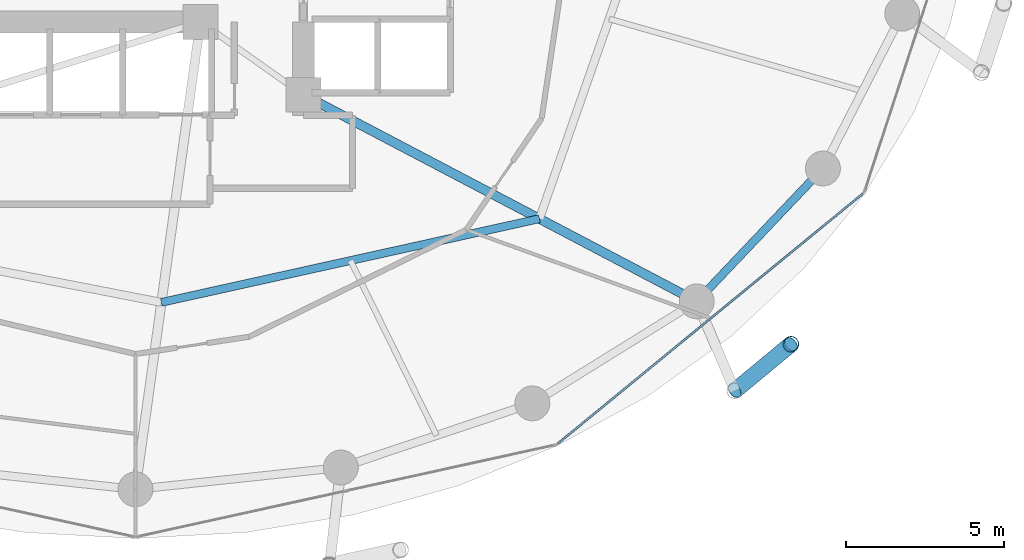
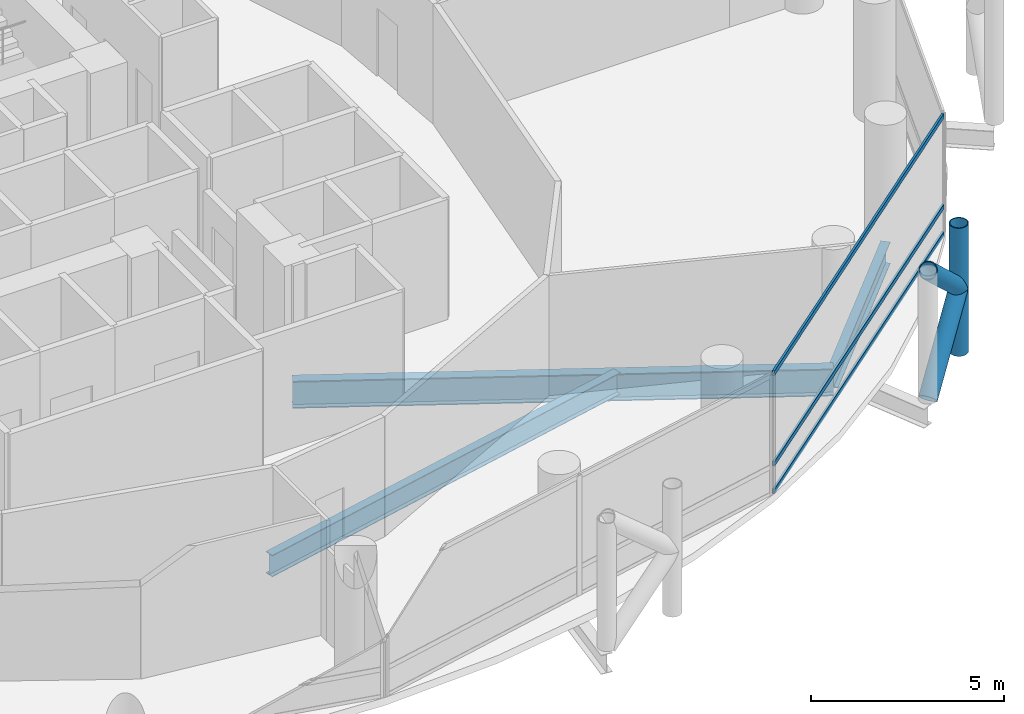
# One storey, part 9 of 25: 6 members, 3 beams, 1 element without a shape of its own.
"""IFC4 building model written with IfcOpenShell, lengths in metres."""

from ifc_helpers import new_model, si_unit, direction, frame, origin, origin_2d, place, context, subcontext, project, spatial, hollow_rectangle, hollow_circle, i_section, extrude, material, layer, layer_set, material_profile, profile_set, type_object, element, aggregate, save


model = new_model("IFC4")

# Units and contexts
model_context = context("Model", 3, precision=1e-05, world=origin(), true_north=direction((0.0, 1.0)))
body_context = subcontext(model_context, "Body", "Model", "MODEL_VIEW")
ifc_project = project(units=[si_unit("LENGTHUNIT", "METRE"), si_unit("AREAUNIT", "SQUARE_METRE"), si_unit("VOLUMEUNIT", "CUBIC_METRE"), si_unit("PLANEANGLEUNIT", "RADIAN"), si_unit("MASSUNIT", "GRAM", prefix="KILO")], contexts=[model_context])

# Site, building, storey
site_placement = place(None, origin())
site = spatial("IfcSite", under=ifc_project, at=site_placement, CompositionType="ELEMENT")
building_placement = place(site_placement, origin())
building = spatial("IfcBuilding", under=site, at=building_placement, Name="Nuhasar Tower", CompositionType="ELEMENT")
storey_placement = place(building_placement, frame((0.0, 0.0, 65.550048828125)))
storey = spatial("IfcBuildingStorey", under=building, at=storey_placement, Name="L15", CompositionType="ELEMENT", Elevation=65.550048828125)

# Beams
ifc_material_1 = material(Name="Steel S355", Category="steel")
ifc_material_profile_1 = material_profile(ifc_material_1, i_section(OverallWidth=0.25390625, OverallDepth=0.68408203125, WebThickness=0.012451171875, FlangeThickness=0.018798828125, at=origin_2d()), Name="W27X94")
ifc_profile_set_1 = profile_set([ifc_material_profile_1], Name="Steel S355")
beam_type_1 = type_object("IfcBeamType", Name="BM-INRING-W27X94", PredefinedType="BEAM", material=ifc_profile_set_1)
beam_1_placement = place(storey_placement, frame((39.820068359375, 12.449951171875, -0.592041015625), z_axis=(0.976386023343, 0.216033176665, 0.0), x_axis=(-0.216033176665, 0.976386023343, 0.0)))
element("IfcBeam", 1, at=beam_1_placement, inside=storey, type_object=beam_type_1, Name="L15 Inner Header Beam 02", PredefinedType="BEAM", context=body_context, shape_type="SweptSolid", body=[
    extrude(i_section(OverallWidth=0.25390625, OverallDepth=0.68408203125, WebThickness=0.012451171875, FlangeThickness=0.018798828125, at=origin_2d()), origin(), (0.0, 0.0, 1.0), 12.216552734375),
])
ifc_material_profile_2 = material_profile(ifc_material_1, i_section(OverallWidth=0.2919921875, OverallDepth=0.85888671875, WebThickness=0.01708984375, FlangeThickness=0.031005859375, at=origin_2d()), Name="W33X169")
ifc_profile_set_2 = profile_set([ifc_material_profile_2], Name="Steel S355")
beam_type_2 = type_object("IfcBeamType", Name="BM-POD-W33X169", PredefinedType="BEAM", material=ifc_profile_set_2)
beam_2_placement = place(storey_placement, frame((44.300048828125, 19.0, -0.679931640625), z_axis=(0.885330348705, -0.464962550816, 0.0), x_axis=(0.464962550816, 0.885330348705, 0.0)))
element("IfcBeam", 2, at=beam_2_placement, inside=storey, type_object=beam_type_2, Name="L15 Radial Floor Girder 03", PredefinedType="BEAM", context=body_context, shape_type="SweptSolid", body=[
    extrude(i_section(OverallWidth=0.2919921875, OverallDepth=0.85888671875, WebThickness=0.01708984375, FlangeThickness=0.031005859375, at=origin_2d()), origin(), (0.0, 0.0, 1.0), 14.0205078125),
])
ifc_material_profile_3 = material_profile(ifc_material_1, i_section(OverallWidth=0.256103515625, OverallDepth=0.693115234375, WebThickness=0.014404296875, FlangeThickness=0.023681640625, at=origin_2d()), Name="W27X114")
ifc_profile_set_3 = profile_set([ifc_material_profile_3], Name="Steel S355")
beam_type_3 = type_object("IfcBeamType", Name="BM-RING-W27X114", PredefinedType="SPANDREL", material=ifc_profile_set_3)
beam_3_placement = place(storey_placement, frame((56.712890625, 12.48095703125, -0.59716796875), z_axis=(0.688459812429, 0.725274490569, 0.0), x_axis=(-0.725274490569, 0.688459812429, 0.0)))
element("IfcBeam", 3, at=beam_3_placement, inside=storey, type_object=beam_type_3, Name="L15 Perimeter Ring Spandrel 22", PredefinedType="SPANDREL", context=body_context, shape_type="SweptSolid", body=[
    extrude(i_section(OverallWidth=0.256103515625, OverallDepth=0.693115234375, WebThickness=0.014404296875, FlangeThickness=0.023681640625, at=origin_2d()), origin(), (0.0, 0.0, 1.0), 5.78271484375),
])

# Curtain wall, members
ifc_material_2 = material(Name="Aluminium 6063-T6", Category="aluminium")
ifc_layer = layer(ifc_material_2, 0.199951171875)
ifc_layer_set = layer_set([ifc_layer], Name="Aluminium 6063-T6")
curtain_wall_type = type_object("IfcCurtainWallType", Name="CW-Z1-OFF", PredefinedType="NOTDEFINED", material=ifc_layer_set)
curtain_wall_placement = place(storey_placement, origin())
curtain_wall = element("IfcCurtainWall", 4, at=curtain_wall_placement, inside=storey, type_object=curtain_wall_type, Name="L15 Unitised Curtain Wall 11", PredefinedType="NOTDEFINED")
ifc_material_profile_4 = material_profile(ifc_material_2, hollow_rectangle(XDim=0.06494140625, YDim=0.14990234375, WallThickness=0.00439453125, at=origin_2d()), Name="CWT-2")
ifc_profile_set_4 = profile_set([ifc_material_profile_4], Name="Aluminium 6063-T6")
member_type_1 = type_object("IfcMemberType", Name="CW-TRN-S2", PredefinedType="USERDEFINED", material=ifc_profile_set_4)
member_1_placement = place(storey_placement, frame((52.330322265625, 7.99609375, 0.032470703125), z_axis=(0.773531229158, 0.633758185365, 0.0), x_axis=(-0.633758185365, 0.773531229158, 0.0)))
member_1 = element("IfcMember", 5, at=member_1_placement, type_object=member_type_1, Name="CW-Z1 transom 1.1", ObjectType="TRANSOM", PredefinedType="USERDEFINED", context=body_context, shape_type="SweptSolid", body=[
    extrude(hollow_rectangle(XDim=0.06494140625, YDim=0.14990234375, WallThickness=0.00439453125, at=origin_2d()), origin(), (0.0, 0.0, 1.0), 12.438232421875),
])
member_2_placement = place(storey_placement, frame((52.330322265625, 7.99609375, 0.89990234375), z_axis=(0.773531229158, 0.633758185365, 0.0), x_axis=(-0.633758185365, 0.773531229158, 0.0)))
member_2 = element("IfcMember", 6, at=member_2_placement, type_object=member_type_1, Name="CW-Z1 transom 1.2", ObjectType="TRANSOM", PredefinedType="USERDEFINED", context=body_context, shape_type="SweptSolid", body=[
    extrude(hollow_rectangle(XDim=0.06494140625, YDim=0.14990234375, WallThickness=0.00439453125, at=origin_2d()), origin(), (0.0, 0.0, 1.0), 12.438232421875),
])
member_3_placement = place(storey_placement, frame((52.330322265625, 7.99609375, 3.767333984375), z_axis=(0.773531229158, 0.633758185365, 0.0), x_axis=(-0.633758185365, 0.773531229158, 0.0)))
member_3 = element("IfcMember", 7, at=member_3_placement, type_object=member_type_1, Name="CW-Z1 transom 1.3", ObjectType="TRANSOM", PredefinedType="USERDEFINED", context=body_context, shape_type="SweptSolid", body=[
    extrude(hollow_rectangle(XDim=0.06494140625, YDim=0.14990234375, WallThickness=0.00439453125, at=origin_2d()), origin(), (0.0, 0.0, 1.0), 12.438232421875),
])
aggregate(curtain_wall, [member_1, member_2, member_3])

# Members
ifc_material_3 = material(Name="Steel S460", Category="steel")
ifc_material_profile_5 = material_profile(ifc_material_3, hollow_circle(Radius=0.25390625, WallThickness=0.025390625, at=origin_2d()), Name="HSS508X25.4")
ifc_profile_set_5 = profile_set([ifc_material_profile_5], Name="Steel S460")
member_type_2 = type_object("IfcMemberType", Name="EXO-BRONZE-508", PredefinedType="BRACE", material=ifc_profile_set_5)
member_4_placement = place(storey_placement, frame((59.68505859375, 11.12890625, 0.0), z_axis=(0.0, 0.0, 1.0), x_axis=(1.0, 0.0, 0.0)))
element("IfcMember", 8, at=member_4_placement, inside=storey, type_object=member_type_2, Name="L15 Exoskeleton Chord Column EC-11B", PredefinedType="BRACE", context=body_context, shape_type="SweptSolid", body=[
    extrude(hollow_circle(Radius=0.25390625, WallThickness=0.025390625, at=origin_2d()), origin(), (0.0, 0.0, 1.0), 4.050048828125),
])
member_5_placement = place(storey_placement, frame((57.9130859375, 9.660888671875, 0.0), z_axis=(0.578101613167, 0.478937034992, 0.660619286251), x_axis=(-0.637969333506, 0.770061769929, 0.0)))
element("IfcMember", 9, at=member_5_placement, inside=storey, type_object=member_type_2, Name="L15 Bronze Diagrid Brace W1-11", PredefinedType="BRACE", context=body_context, shape_type="SweptSolid", body=[
    extrude(hollow_circle(Radius=0.25390625, WallThickness=0.025390625, at=origin_2d()), origin(), (0.0, 0.0, 1.0), 3.065185546875),
])
member_6_placement = place(storey_placement, frame((59.68505859375, 11.12890625, 2.02490234375), z_axis=(-0.578071194894, -0.478911834514, 0.660664172175), x_axis=(0.637969333506, -0.770061769929, 0.0)))
element("IfcMember", 10, at=member_6_placement, inside=storey, type_object=member_type_2, Name="L15 Bronze Diagrid Brace W2-11", PredefinedType="BRACE", context=body_context, shape_type="SweptSolid", body=[
    extrude(hollow_circle(Radius=0.25390625, WallThickness=0.025390625, at=origin_2d()), origin(), (0.0, 0.0, 1.0), 3.0654296875),
])

save(model, "model.ifc")
